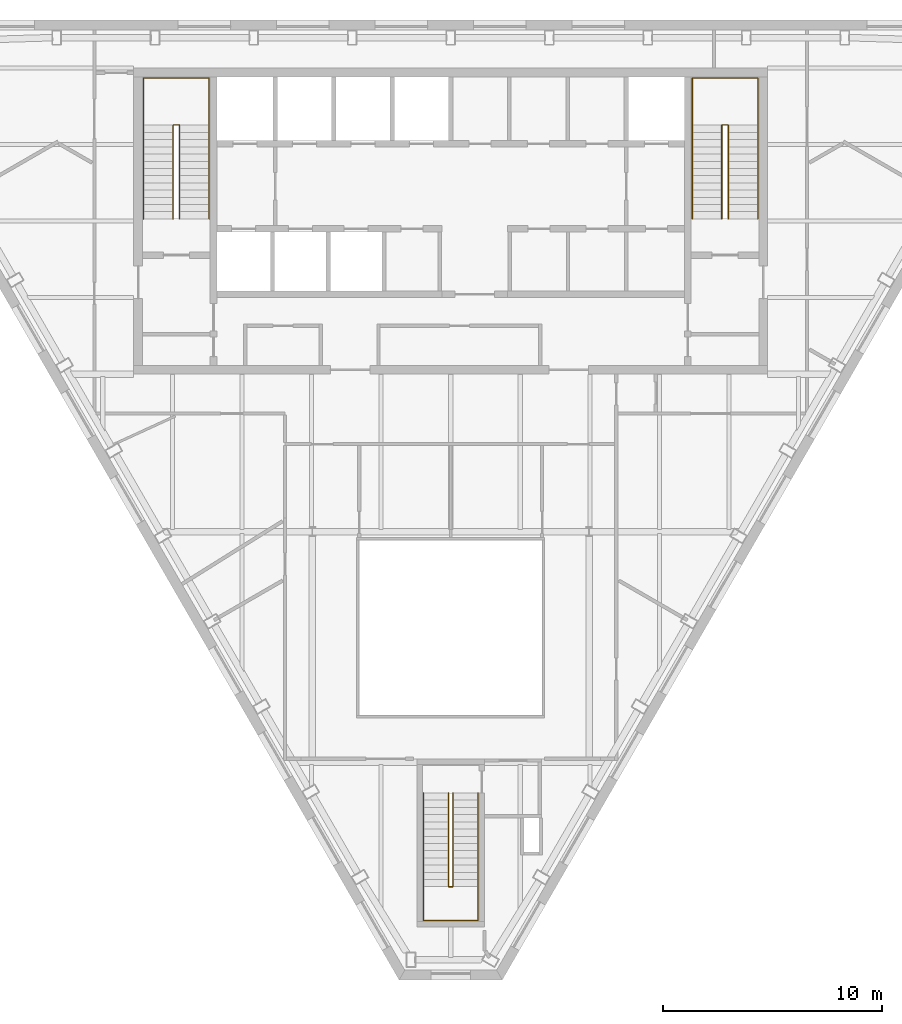
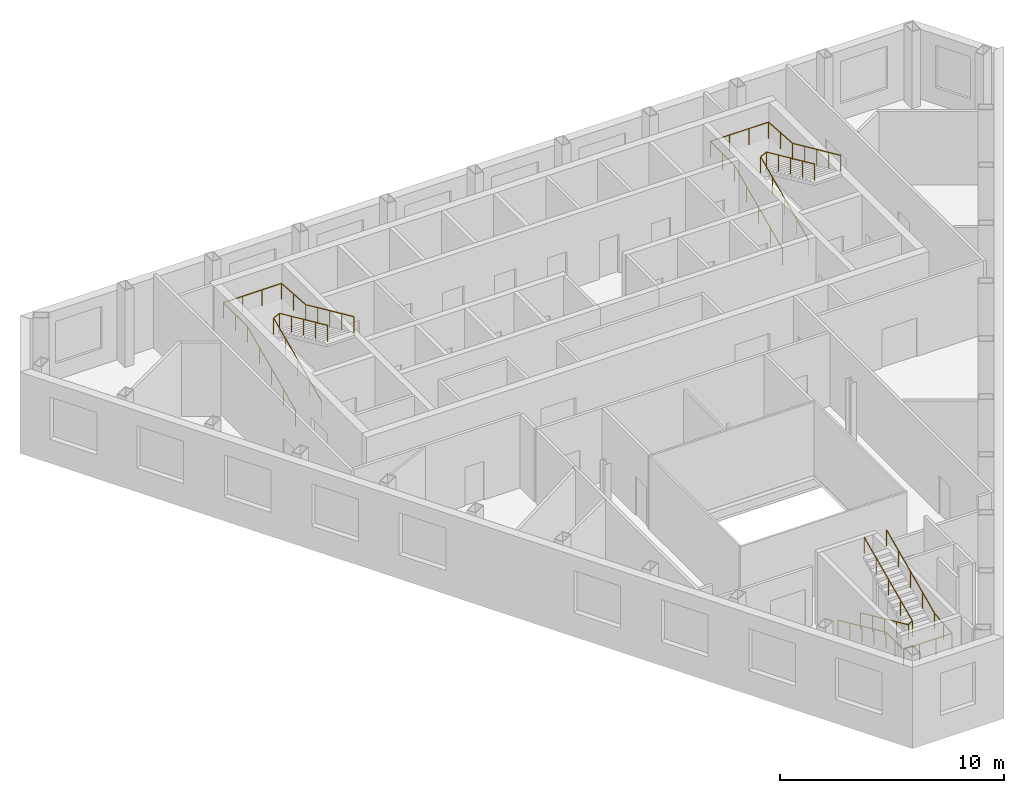
# One storey, part 10 of 10: 6 railings.
"""IFC4 building model written with IfcOpenShell, lengths in metres."""

from ifc_helpers import new_model, si_unit, direction, frame, origin, origin_2d, place, context, subcontext, project, spatial, circle, extrude, material, type_object, element, save


model = new_model("IFC4")

# Units and contexts
model_context = context("Model", 3, precision=1e-05, world=origin(), true_north=direction((0.0, 1.0)))
body_context = subcontext(model_context, "Body", "Model", "MODEL_VIEW")
ifc_project = project(units=[si_unit("LENGTHUNIT", "METRE"), si_unit("AREAUNIT", "SQUARE_METRE"), si_unit("VOLUMEUNIT", "CUBIC_METRE"), si_unit("PLANEANGLEUNIT", "RADIAN"), si_unit("MASSUNIT", "GRAM", prefix="KILO")], contexts=[model_context])

# Site, building, storey
site_placement = place(None, origin())
site = spatial("IfcSite", under=ifc_project, at=site_placement, CompositionType="ELEMENT")
building_placement = place(site_placement, origin())
building = spatial("IfcBuilding", under=site, at=building_placement, Name="Njiva Tower", CompositionType="ELEMENT")
storey_placement = place(building_placement, frame((0.0, 0.0, 308.4)))
storey = spatial("IfcBuildingStorey", under=building, at=storey_placement, Name="L70", CompositionType="ELEMENT", Elevation=308.4)

# Railings
ifc_material = material(Name="Stainless steel", Category="steel")
railing_type = type_object("IfcRailingType", Name="RL1 Stair handrail 900", PredefinedType="HANDRAIL", material=ifc_material)
railing_1_placement = place(storey_placement, frame((-14.05, 11.1, 0.15)))
element("IfcRailing", 1, at=railing_1_placement, inside=storey, type_object=railing_type, Name="Stair A handrail", PredefinedType="HANDRAIL", context=body_context, shape_type="SweptSolid", body=[
    extrude(circle(Radius=0.024, at=origin_2d()), frame((0.0, 0.0, 0.876), z_axis=(0.0, 0.910366477463, 0.413802944301), x_axis=(-1.0, 0.0, 0.0)), (0.0, 0.0, 1.0), 4.7124),
    extrude(circle(Radius=0.024, at=origin_2d()), frame((0.0, 4.29, 2.826), z_axis=(0.0, 1.0, 0.0), x_axis=(-1.0, 0.0, 0.0)), (0.0, 0.0, 1.0), 2.16),
    extrude(circle(Radius=0.024, at=origin_2d()), frame((0.0, 6.45, 2.826), z_axis=(1.0, 0.0, 0.0), x_axis=(0.0, 1.0, 0.0)), (0.0, 0.0, 1.0), 3.0),
    extrude(circle(Radius=0.024, at=origin_2d()), frame((3.0, 6.45, 2.826), z_axis=(0.0, -0.997597420968, 0.069277598678), x_axis=(1.0, 0.0, 0.0)), (0.0, 0.0, 1.0), 2.1652),
    extrude(circle(Radius=0.024, at=origin_2d()), frame((3.0, 4.29, 2.976), z_axis=(0.0, -0.910366477463, 0.413802944301), x_axis=(1.0, 0.0, 0.0)), (0.0, 0.0, 1.0), 4.7124),
    extrude(circle(Radius=0.021, at=origin_2d()), origin(), (0.0, 0.0, 1.0), 0.852),
    extrude(circle(Radius=0.021, at=origin_2d()), frame((0.0, 1.0725, 0.4875)), (0.0, 0.0, 1.0), 0.852),
    extrude(circle(Radius=0.021, at=origin_2d()), frame((0.0, 2.145, 0.975)), (0.0, 0.0, 1.0), 0.852),
    extrude(circle(Radius=0.021, at=origin_2d()), frame((0.0, 3.2175, 1.4625)), (0.0, 0.0, 1.0), 0.852),
    extrude(circle(Radius=0.021, at=origin_2d()), frame((0.0, 4.29, 1.95)), (0.0, 0.0, 1.0), 0.852),
    extrude(circle(Radius=0.021, at=origin_2d()), frame((0.0, 5.37, 1.95)), (0.0, 0.0, 1.0), 0.852),
    extrude(circle(Radius=0.021, at=origin_2d()), frame((0.0, 6.45, 1.95)), (0.0, 0.0, 1.0), 0.852),
    extrude(circle(Radius=0.021, at=origin_2d()), frame((1.0, 6.45, 1.95)), (0.0, 0.0, 1.0), 0.852),
    extrude(circle(Radius=0.021, at=origin_2d()), frame((2.0, 6.45, 1.95)), (0.0, 0.0, 1.0), 0.852),
    extrude(circle(Radius=0.021, at=origin_2d()), frame((3.0, 6.45, 1.95)), (0.0, 0.0, 1.0), 0.852),
    extrude(circle(Radius=0.021, at=origin_2d()), frame((3.0, 5.37, 2.025)), (0.0, 0.0, 1.0), 0.852),
    extrude(circle(Radius=0.021, at=origin_2d()), frame((3.0, 4.29, 2.1)), (0.0, 0.0, 1.0), 0.852),
    extrude(circle(Radius=0.021, at=origin_2d()), frame((3.0, 3.2175, 2.5875)), (0.0, 0.0, 1.0), 0.852),
    extrude(circle(Radius=0.021, at=origin_2d()), frame((3.0, 2.145, 3.075)), (0.0, 0.0, 1.0), 0.852),
    extrude(circle(Radius=0.021, at=origin_2d()), frame((3.0, 1.0725, 3.5625)), (0.0, 0.0, 1.0), 0.852),
    extrude(circle(Radius=0.021, at=origin_2d()), frame((3.0, 0.0, 4.05)), (0.0, 0.0, 1.0), 0.852),
])
railing_2_placement = place(storey_placement, frame((-12.7, 11.1, 0.15)))
element("IfcRailing", 2, at=railing_2_placement, inside=storey, type_object=railing_type, Name="Stair A handrail", PredefinedType="HANDRAIL", context=body_context, shape_type="SweptSolid", body=[
    extrude(circle(Radius=0.024, at=origin_2d()), frame((0.0, 0.0, 0.876), z_axis=(0.0, 0.910366477463, 0.413802944301), x_axis=(-1.0, 0.0, 0.0)), (0.0, 0.0, 1.0), 4.7124),
    extrude(circle(Radius=0.024, at=origin_2d()), frame((0.0, 4.29, 2.826), z_axis=(0.894427191, 0.0, 0.4472135955), x_axis=(0.0, 1.0, 0.0)), (0.0, 0.0, 1.0), 0.3354),
    extrude(circle(Radius=0.024, at=origin_2d()), frame((0.3, 4.29, 2.976), z_axis=(0.0, -0.910366477463, 0.413802944301), x_axis=(1.0, 0.0, 0.0)), (0.0, 0.0, 1.0), 4.7124),
    extrude(circle(Radius=0.021, at=origin_2d()), origin(), (0.0, 0.0, 1.0), 0.852),
    extrude(circle(Radius=0.021, at=origin_2d()), frame((0.0, 1.0725, 0.4875)), (0.0, 0.0, 1.0), 0.852),
    extrude(circle(Radius=0.021, at=origin_2d()), frame((0.0, 2.145, 0.975)), (0.0, 0.0, 1.0), 0.852),
    extrude(circle(Radius=0.021, at=origin_2d()), frame((0.0, 3.2175, 1.4625)), (0.0, 0.0, 1.0), 0.852),
    extrude(circle(Radius=0.021, at=origin_2d()), frame((0.0, 4.29, 1.95)), (0.0, 0.0, 1.0), 0.852),
    extrude(circle(Radius=0.021, at=origin_2d()), frame((0.3, 4.29, 2.1)), (0.0, 0.0, 1.0), 0.852),
    extrude(circle(Radius=0.021, at=origin_2d()), frame((0.3, 3.2175, 2.5875)), (0.0, 0.0, 1.0), 0.852),
    extrude(circle(Radius=0.021, at=origin_2d()), frame((0.3, 2.145, 3.075)), (0.0, 0.0, 1.0), 0.852),
    extrude(circle(Radius=0.021, at=origin_2d()), frame((0.3, 1.0725, 3.5625)), (0.0, 0.0, 1.0), 0.852),
    extrude(circle(Radius=0.021, at=origin_2d()), frame((0.3, 0.0, 4.05)), (0.0, 0.0, 1.0), 0.852),
])
railing_3_placement = place(storey_placement, frame((11.05, 11.1, 0.15)))
element("IfcRailing", 3, at=railing_3_placement, inside=storey, type_object=railing_type, Name="Stair B handrail", PredefinedType="HANDRAIL", context=body_context, shape_type="SweptSolid", body=[
    extrude(circle(Radius=0.024, at=origin_2d()), frame((0.0, 0.0, 0.876), z_axis=(0.0, 0.910366477463, 0.413802944301), x_axis=(-1.0, 0.0, 0.0)), (0.0, 0.0, 1.0), 4.7124),
    extrude(circle(Radius=0.024, at=origin_2d()), frame((0.0, 4.29, 2.826), z_axis=(0.0, 1.0, 0.0), x_axis=(-1.0, 0.0, 0.0)), (0.0, 0.0, 1.0), 2.16),
    extrude(circle(Radius=0.024, at=origin_2d()), frame((0.0, 6.45, 2.826), z_axis=(1.0, 0.0, 0.0), x_axis=(0.0, 1.0, 0.0)), (0.0, 0.0, 1.0), 3.0),
    extrude(circle(Radius=0.024, at=origin_2d()), frame((3.0, 6.45, 2.826), z_axis=(0.0, -0.997597420968, 0.069277598678), x_axis=(1.0, 0.0, 0.0)), (0.0, 0.0, 1.0), 2.1652),
    extrude(circle(Radius=0.024, at=origin_2d()), frame((3.0, 4.29, 2.976), z_axis=(0.0, -0.910366477463, 0.413802944301), x_axis=(1.0, 0.0, 0.0)), (0.0, 0.0, 1.0), 4.7124),
    extrude(circle(Radius=0.021, at=origin_2d()), origin(), (0.0, 0.0, 1.0), 0.852),
    extrude(circle(Radius=0.021, at=origin_2d()), frame((0.0, 1.0725, 0.4875)), (0.0, 0.0, 1.0), 0.852),
    extrude(circle(Radius=0.021, at=origin_2d()), frame((0.0, 2.145, 0.975)), (0.0, 0.0, 1.0), 0.852),
    extrude(circle(Radius=0.021, at=origin_2d()), frame((0.0, 3.2175, 1.4625)), (0.0, 0.0, 1.0), 0.852),
    extrude(circle(Radius=0.021, at=origin_2d()), frame((0.0, 4.29, 1.95)), (0.0, 0.0, 1.0), 0.852),
    extrude(circle(Radius=0.021, at=origin_2d()), frame((0.0, 5.37, 1.95)), (0.0, 0.0, 1.0), 0.852),
    extrude(circle(Radius=0.021, at=origin_2d()), frame((0.0, 6.45, 1.95)), (0.0, 0.0, 1.0), 0.852),
    extrude(circle(Radius=0.021, at=origin_2d()), frame((1.0, 6.45, 1.95)), (0.0, 0.0, 1.0), 0.852),
    extrude(circle(Radius=0.021, at=origin_2d()), frame((2.0, 6.45, 1.95)), (0.0, 0.0, 1.0), 0.852),
    extrude(circle(Radius=0.021, at=origin_2d()), frame((3.0, 6.45, 1.95)), (0.0, 0.0, 1.0), 0.852),
    extrude(circle(Radius=0.021, at=origin_2d()), frame((3.0, 5.37, 2.025)), (0.0, 0.0, 1.0), 0.852),
    extrude(circle(Radius=0.021, at=origin_2d()), frame((3.0, 4.29, 2.1)), (0.0, 0.0, 1.0), 0.852),
    extrude(circle(Radius=0.021, at=origin_2d()), frame((3.0, 3.2175, 2.5875)), (0.0, 0.0, 1.0), 0.852),
    extrude(circle(Radius=0.021, at=origin_2d()), frame((3.0, 2.145, 3.075)), (0.0, 0.0, 1.0), 0.852),
    extrude(circle(Radius=0.021, at=origin_2d()), frame((3.0, 1.0725, 3.5625)), (0.0, 0.0, 1.0), 0.852),
    extrude(circle(Radius=0.021, at=origin_2d()), frame((3.0, 0.0, 4.05)), (0.0, 0.0, 1.0), 0.852),
])
railing_4_placement = place(storey_placement, frame((12.4, 11.1, 0.15)))
element("IfcRailing", 4, at=railing_4_placement, inside=storey, type_object=railing_type, Name="Stair B handrail", PredefinedType="HANDRAIL", context=body_context, shape_type="SweptSolid", body=[
    extrude(circle(Radius=0.024, at=origin_2d()), frame((0.0, 0.0, 0.876), z_axis=(0.0, 0.910366477463, 0.413802944301), x_axis=(-1.0, 0.0, 0.0)), (0.0, 0.0, 1.0), 4.7124),
    extrude(circle(Radius=0.024, at=origin_2d()), frame((0.0, 4.29, 2.826), z_axis=(0.894427191, 0.0, 0.4472135955), x_axis=(0.0, 1.0, 0.0)), (0.0, 0.0, 1.0), 0.3354),
    extrude(circle(Radius=0.024, at=origin_2d()), frame((0.3, 4.29, 2.976), z_axis=(0.0, -0.910366477463, 0.413802944301), x_axis=(1.0, 0.0, 0.0)), (0.0, 0.0, 1.0), 4.7124),
    extrude(circle(Radius=0.021, at=origin_2d()), origin(), (0.0, 0.0, 1.0), 0.852),
    extrude(circle(Radius=0.021, at=origin_2d()), frame((0.0, 1.0725, 0.4875)), (0.0, 0.0, 1.0), 0.852),
    extrude(circle(Radius=0.021, at=origin_2d()), frame((0.0, 2.145, 0.975)), (0.0, 0.0, 1.0), 0.852),
    extrude(circle(Radius=0.021, at=origin_2d()), frame((0.0, 3.2175, 1.4625)), (0.0, 0.0, 1.0), 0.852),
    extrude(circle(Radius=0.021, at=origin_2d()), frame((0.0, 4.29, 1.95)), (0.0, 0.0, 1.0), 0.852),
    extrude(circle(Radius=0.021, at=origin_2d()), frame((0.3, 4.29, 2.1)), (0.0, 0.0, 1.0), 0.852),
    extrude(circle(Radius=0.021, at=origin_2d()), frame((0.3, 3.2175, 2.5875)), (0.0, 0.0, 1.0), 0.852),
    extrude(circle(Radius=0.021, at=origin_2d()), frame((0.3, 2.145, 3.075)), (0.0, 0.0, 1.0), 0.852),
    extrude(circle(Radius=0.021, at=origin_2d()), frame((0.3, 1.0725, 3.5625)), (0.0, 0.0, 1.0), 0.852),
    extrude(circle(Radius=0.021, at=origin_2d()), frame((0.3, 0.0, 4.05)), (0.0, 0.0, 1.0), 0.852),
])
railing_5_placement = place(storey_placement, frame((-1.25, -15.16, 0.15)))
element("IfcRailing", 5, at=railing_5_placement, inside=storey, type_object=railing_type, Name="Stair C handrail", PredefinedType="HANDRAIL", context=body_context, shape_type="SweptSolid", body=[
    extrude(circle(Radius=0.024, at=origin_2d()), frame((0.0, 0.0, 0.876), z_axis=(0.0, -0.910366477463, 0.413802944301), x_axis=(1.0, 0.0, 0.0)), (0.0, 0.0, 1.0), 4.7124),
    extrude(circle(Radius=0.024, at=origin_2d()), frame((0.0, -4.29, 2.826), z_axis=(0.0, -1.0, 0.0), x_axis=(1.0, 0.0, 0.0)), (0.0, 0.0, 1.0), 1.55),
    extrude(circle(Radius=0.024, at=origin_2d()), frame((0.0, -5.84, 2.826), z_axis=(1.0, 0.0, 0.0), x_axis=(0.0, 1.0, 0.0)), (0.0, 0.0, 1.0), 2.5),
    extrude(circle(Radius=0.024, at=origin_2d()), frame((2.5, -5.84, 2.826), z_axis=(0.0, 0.995350013555, 0.09632419486), x_axis=(-1.0, 0.0, 0.0)), (0.0, 0.0, 1.0), 1.5572),
    extrude(circle(Radius=0.024, at=origin_2d()), frame((2.5, -4.29, 2.976), z_axis=(0.0, 0.910366477463, 0.413802944301), x_axis=(-1.0, 0.0, 0.0)), (0.0, 0.0, 1.0), 4.7124),
    extrude(circle(Radius=0.021, at=origin_2d()), origin(), (0.0, 0.0, 1.0), 0.852),
    extrude(circle(Radius=0.021, at=origin_2d()), frame((0.0, -1.0725, 0.4875)), (0.0, 0.0, 1.0), 0.852),
    extrude(circle(Radius=0.021, at=origin_2d()), frame((0.0, -2.145, 0.975)), (0.0, 0.0, 1.0), 0.852),
    extrude(circle(Radius=0.021, at=origin_2d()), frame((0.0, -3.2175, 1.4625)), (0.0, 0.0, 1.0), 0.852),
    extrude(circle(Radius=0.021, at=origin_2d()), frame((0.0, -4.29, 1.95)), (0.0, 0.0, 1.0), 0.852),
    extrude(circle(Radius=0.021, at=origin_2d()), frame((0.0, -5.065, 1.95)), (0.0, 0.0, 1.0), 0.852),
    extrude(circle(Radius=0.021, at=origin_2d()), frame((0.0, -5.84, 1.95)), (0.0, 0.0, 1.0), 0.852),
    extrude(circle(Radius=0.021, at=origin_2d()), frame((0.8333, -5.84, 1.95)), (0.0, 0.0, 1.0), 0.852),
    extrude(circle(Radius=0.021, at=origin_2d()), frame((1.6667, -5.84, 1.95)), (0.0, 0.0, 1.0), 0.852),
    extrude(circle(Radius=0.021, at=origin_2d()), frame((2.5, -5.84, 1.95)), (0.0, 0.0, 1.0), 0.852),
    extrude(circle(Radius=0.021, at=origin_2d()), frame((2.5, -5.065, 2.025)), (0.0, 0.0, 1.0), 0.852),
    extrude(circle(Radius=0.021, at=origin_2d()), frame((2.5, -4.29, 2.1)), (0.0, 0.0, 1.0), 0.852),
    extrude(circle(Radius=0.021, at=origin_2d()), frame((2.5, -3.2175, 2.5875)), (0.0, 0.0, 1.0), 0.852),
    extrude(circle(Radius=0.021, at=origin_2d()), frame((2.5, -2.145, 3.075)), (0.0, 0.0, 1.0), 0.852),
    extrude(circle(Radius=0.021, at=origin_2d()), frame((2.5, -1.0725, 3.5625)), (0.0, 0.0, 1.0), 0.852),
    extrude(circle(Radius=0.021, at=origin_2d()), frame((2.5, 0.0, 4.05)), (0.0, 0.0, 1.0), 0.852),
])
railing_6_placement = place(storey_placement, frame((-0.1, -15.16, 0.15)))
element("IfcRailing", 6, at=railing_6_placement, inside=storey, type_object=railing_type, Name="Stair C handrail", PredefinedType="HANDRAIL", context=body_context, shape_type="SweptSolid", body=[
    extrude(circle(Radius=0.024, at=origin_2d()), frame((0.0, 0.0, 0.876), z_axis=(0.0, -0.910366477463, 0.413802944301), x_axis=(1.0, 0.0, 0.0)), (0.0, 0.0, 1.0), 4.7124),
    extrude(circle(Radius=0.024, at=origin_2d()), frame((0.0, -4.29, 2.826), z_axis=(0.8, 0.0, 0.6), x_axis=(0.0, 1.0, 0.0)), (0.0, 0.0, 1.0), 0.25),
    extrude(circle(Radius=0.024, at=origin_2d()), frame((0.2, -4.29, 2.976), z_axis=(0.0, 0.910366477463, 0.413802944301), x_axis=(-1.0, 0.0, 0.0)), (0.0, 0.0, 1.0), 4.7124),
    extrude(circle(Radius=0.021, at=origin_2d()), origin(), (0.0, 0.0, 1.0), 0.852),
    extrude(circle(Radius=0.021, at=origin_2d()), frame((0.0, -1.0725, 0.4875)), (0.0, 0.0, 1.0), 0.852),
    extrude(circle(Radius=0.021, at=origin_2d()), frame((0.0, -2.145, 0.975)), (0.0, 0.0, 1.0), 0.852),
    extrude(circle(Radius=0.021, at=origin_2d()), frame((0.0, -3.2175, 1.4625)), (0.0, 0.0, 1.0), 0.852),
    extrude(circle(Radius=0.021, at=origin_2d()), frame((0.0, -4.29, 1.95)), (0.0, 0.0, 1.0), 0.852),
    extrude(circle(Radius=0.021, at=origin_2d()), frame((0.2, -4.29, 2.1)), (0.0, 0.0, 1.0), 0.852),
    extrude(circle(Radius=0.021, at=origin_2d()), frame((0.2, -3.2175, 2.5875)), (0.0, 0.0, 1.0), 0.852),
    extrude(circle(Radius=0.021, at=origin_2d()), frame((0.2, -2.145, 3.075)), (0.0, 0.0, 1.0), 0.852),
    extrude(circle(Radius=0.021, at=origin_2d()), frame((0.2, -1.0725, 3.5625)), (0.0, 0.0, 1.0), 0.852),
    extrude(circle(Radius=0.021, at=origin_2d()), frame((0.2, 0.0, 4.05)), (0.0, 0.0, 1.0), 0.852),
])

save(model, "model.ifc")
